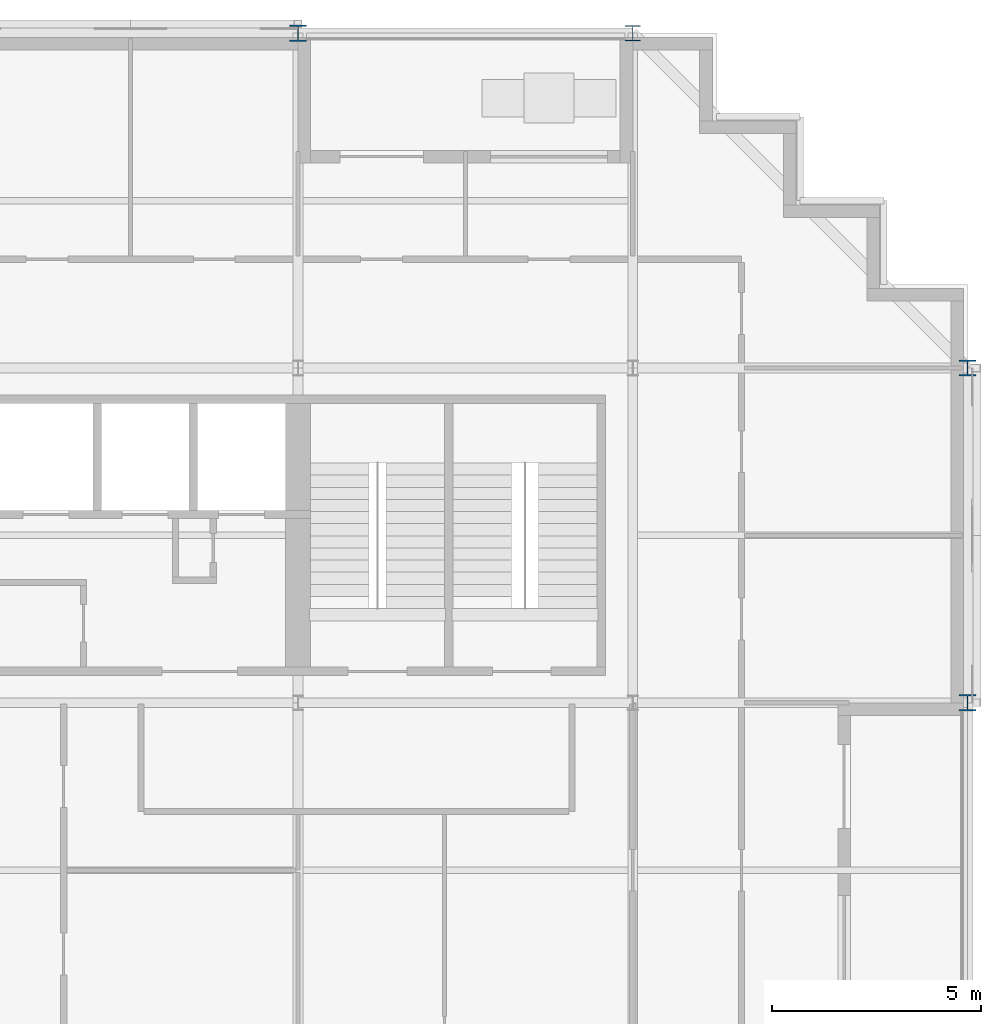
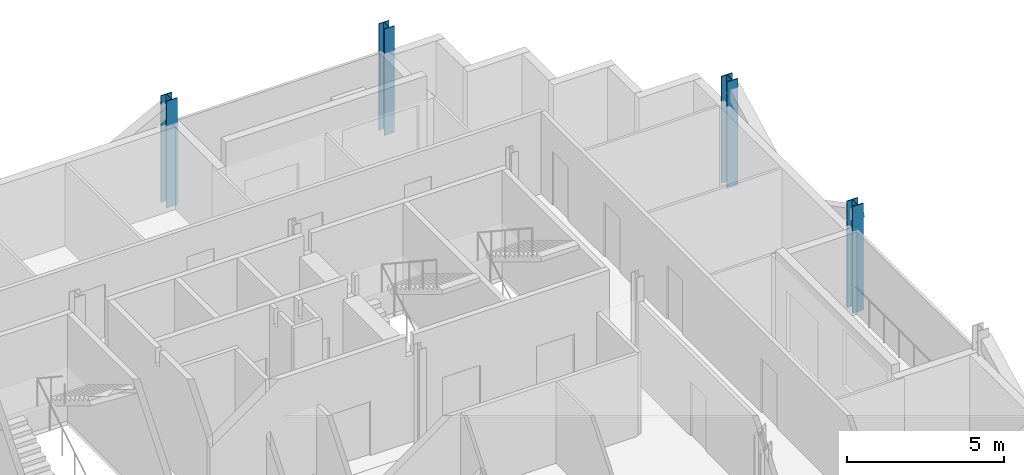
# One storey, part 3 of 15: 4 columns.
"""IFC4 building model written with IfcOpenShell, lengths in metres."""

from ifc_helpers import new_model, si_unit, direction, frame, origin, origin_2d, place, context, subcontext, project, spatial, i_section, extrude, material, material_profile, profile_set, type_object, element, save


model = new_model("IFC4")

# Units and contexts
model_context = context("Model", 3, precision=1e-05, world=origin(), true_north=direction((0.0, 1.0)))
body_context = subcontext(model_context, "Body", "Model", "MODEL_VIEW")
ifc_project = project(units=[si_unit("LENGTHUNIT", "METRE"), si_unit("AREAUNIT", "SQUARE_METRE"), si_unit("VOLUMEUNIT", "CUBIC_METRE"), si_unit("PLANEANGLEUNIT", "RADIAN"), si_unit("MASSUNIT", "GRAM", prefix="KILO")], contexts=[model_context])

# Site, building, storey
site_placement = place(None, origin())
site = spatial("IfcSite", under=ifc_project, at=site_placement, CompositionType="ELEMENT")
building_placement = place(site_placement, origin())
building = spatial("IfcBuilding", under=site, at=building_placement, Name="Immortelle Media Tower", CompositionType="ELEMENT")
storey_placement = place(building_placement, frame((0.0, 0.0, 109.60009765625)))
storey = spatial("IfcBuildingStorey", under=building, at=storey_placement, Name="L21", CompositionType="ELEMENT", Elevation=109.60009765625)

# Columns
ifc_material = material(Name="Steel ASTM A992 Gr 50", Category="steel")
ifc_material_profile_1 = material_profile(ifc_material, i_section(OverallWidth=0.373046875, OverallDepth=0.367919921875, WebThickness=0.014892578125, FlangeThickness=0.02392578125, at=origin_2d()), Name="W14x120")
ifc_profile_set_1 = profile_set([ifc_material_profile_1], Name="Steel ASTM A992 Gr 50")
column_type_1 = type_object("IfcColumnType", Name="W14x120 column", PredefinedType="COLUMN", material=ifc_profile_set_1)
column_placement = place(storey_placement, frame((40.0, 48.0, 0.0), z_axis=(0.0, 0.0, 1.0), x_axis=(1.0, 0.0, 0.0)))
element("IfcColumn", 1, at=column_placement, inside=storey, type_object=column_type_1, Name="Column 6/G", PredefinedType="COLUMN", context=body_context, shape_type="SweptSolid", body=[
    extrude(i_section(OverallWidth=0.373046875, OverallDepth=0.367919921875, WebThickness=0.014892578125, FlangeThickness=0.02392578125, at=origin_2d()), origin(), (0.0, 0.0, 1.0), 4.14990234375),
])
ifc_material_profile_2 = material_profile(ifc_material, i_section(OverallWidth=0.39892578125, OverallDepth=0.385986328125, WebThickness=0.02099609375, FlangeThickness=0.032958984375, at=origin_2d()), Name="W14x176")
ifc_profile_set_2 = profile_set([ifc_material_profile_2], Name="Steel ASTM A992 Gr 50")
column_type_2 = type_object("IfcColumnType", Name="W14x176 column", PredefinedType="COLUMN", material=ifc_profile_set_2)
for number, where, z_axis, x_axis, name in (
    (2, (32.0, 48.0, 0.0), (0.0, 0.0, 1.0), (1.0, 0.0, 0.0), "Column 5/G"),
    (3, (48.0, 32.0, 0.0), (0.0, 0.0, 1.0), (1.0, 0.0, 0.0), "Column 7/E"),
    (4, (48.0, 40.0, 0.0), (0.0, 0.0, 1.0), (1.0, 0.0, 0.0), "Column 7/F"),
):
    element("IfcColumn", number, at=place(storey_placement, frame(where, z_axis=z_axis, x_axis=x_axis)), inside=storey, type_object=column_type_2, Name=name, PredefinedType="COLUMN", context=body_context, shape_type="SweptSolid", body=[
        extrude(i_section(OverallWidth=0.39892578125, OverallDepth=0.385986328125, WebThickness=0.02099609375, FlangeThickness=0.032958984375, at=origin_2d()), origin(), (0.0, 0.0, 1.0), 4.14990234375),
    ])

save(model, "model.ifc")
